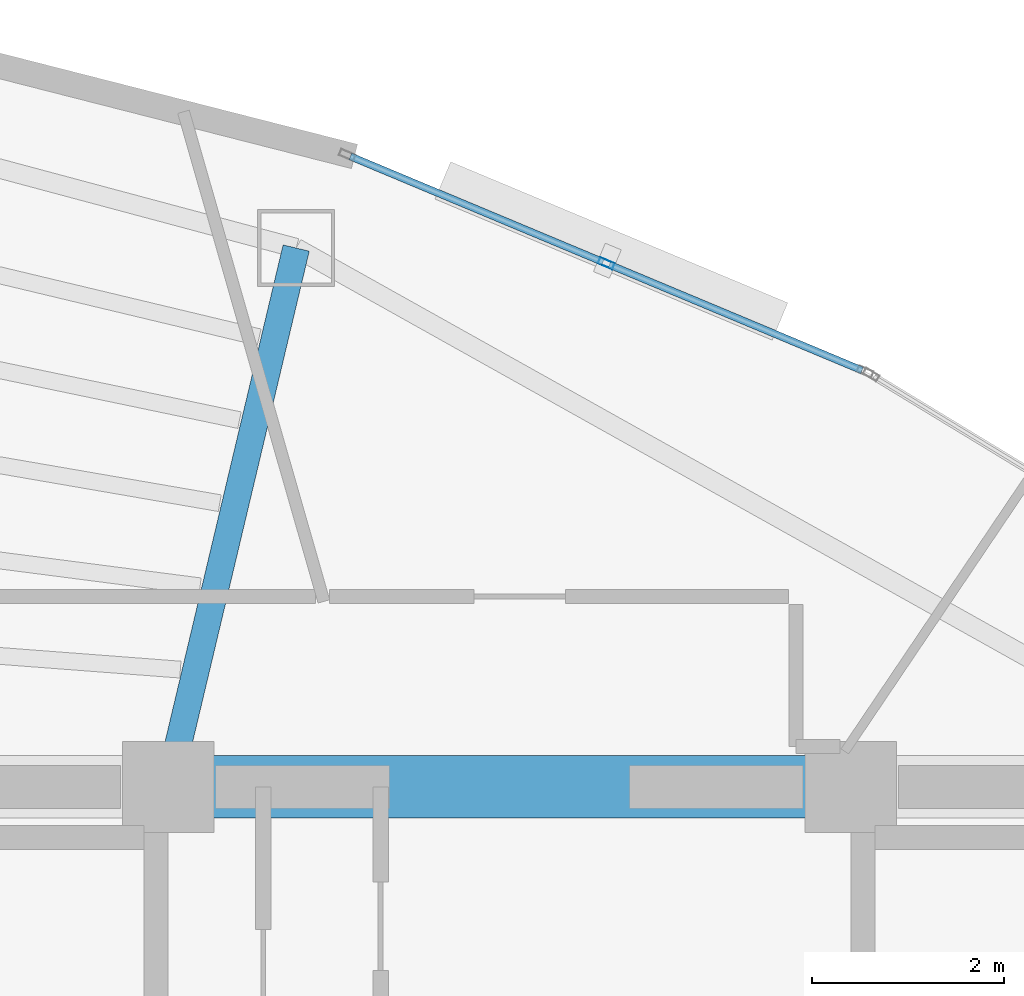
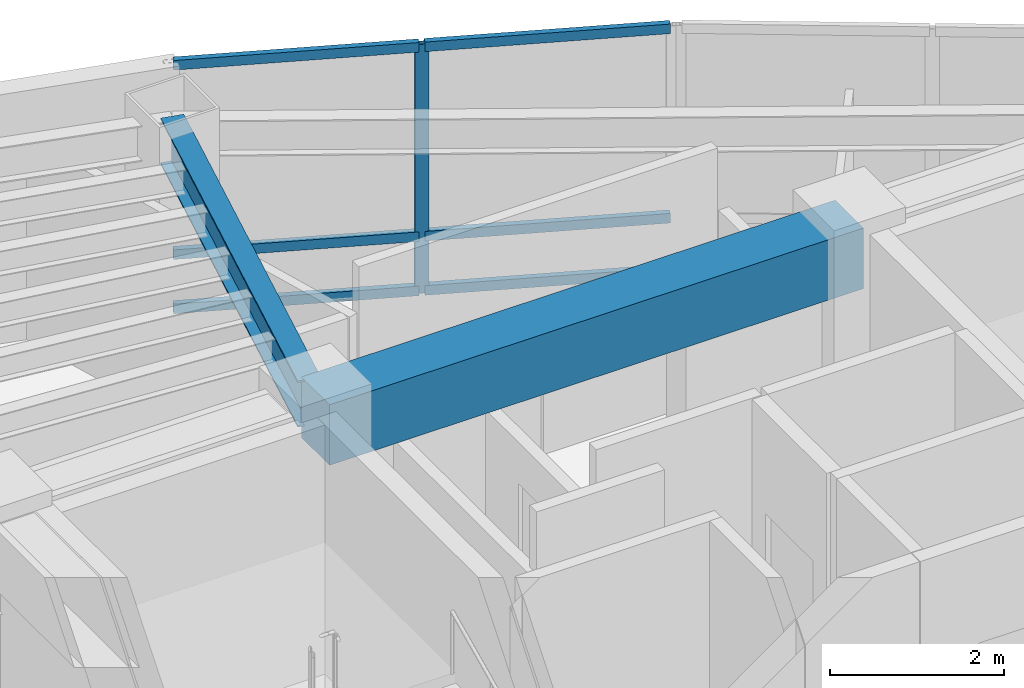
# One storey, part 8 of 15: 7 members, 2 beams, 1 element without a shape of its own.
"""IFC4 building model written with IfcOpenShell, lengths in metres."""

import ifcopenshell
import ifcopenshell.guid

model = None  # the IFC model being written
_history = None  # IfcOwnerHistory: only IFC2X3 demands one
_inside = {}  # id of a spatial element -> (the spatial element, [elements in it])
_under = {}  # id of a project, library or spatial element -> (it, [spatial elements below it])
_declared = {}  # id of a project -> (the project, [libraries it declares])
_typed = {}  # id of a type object -> (the type object, [elements of that type])
_made_of = {}  # id of a material, layer set ... -> (it, [elements and type objects made of it])


def new_model(schema):
    """Start an empty IFC model of exactly this schema.

    Asked for "IFC4X3", IfcOpenShell would pick the latest addendum, in which some entities
    have other attributes; the version numbers below select the first issue.
    IFC2X3 requires an IfcOwnerHistory on every rooted entity: one is made here for all.
    """
    global model, _history
    if schema == "IFC4X3":
        model = ifcopenshell.file(schema_version=(4, 3, 0, 0))
    else:
        model = ifcopenshell.file(schema=schema)
    _inside.clear()
    _under.clear()
    _declared.clear()
    _typed.clear()
    _made_of.clear()
    _history = None
    if model.schema == "IFC2X3":
        org = make("IfcOrganization", Name="unknown")
        user = make(
            "IfcPersonAndOrganization",
            ThePerson=make("IfcPerson", FamilyName="unknown"),
            TheOrganization=org,
        )
        app = make(
            "IfcApplication",
            ApplicationDeveloper=org,
            Version="unknown",
            ApplicationFullName="unknown",
            ApplicationIdentifier="unknown",
        )
        _history = make(
            "IfcOwnerHistory",
            OwningUser=user,
            OwningApplication=app,
            ChangeAction="ADDED",
            CreationDate=0,
        )
    return model


def make(cls, **values):
    """One entity of the class cls with the attributes given. An attribute that is None is left unset."""
    return model.create_entity(
        cls, **{name: value for name, value in values.items() if value is not None}
    )


def rooted(cls, **values):
    """An entity with a GlobalId (a new one), such as an element, a storey or a relation."""
    return make(cls, GlobalId=ifcopenshell.guid.new(), OwnerHistory=_history, **values)


def si_unit(unit_type, name, prefix=None):
    """IfcSIUnit, for example si_unit("LENGTHUNIT", "METRE", prefix="MILLI")."""
    return make("IfcSIUnit", UnitType=unit_type, Prefix=prefix, Name=name)


def assignment(units):
    """IfcUnitAssignment: the units of a project."""
    return None if units is None else make("IfcUnitAssignment", Units=units)


def point(xyz):
    """IfcCartesianPoint."""
    return None if xyz is None else make("IfcCartesianPoint", Coordinates=xyz)


def direction(xyz):
    """IfcDirection."""
    return None if xyz is None else make("IfcDirection", DirectionRatios=xyz)


def frame(location, z_axis=None, x_axis=None):
    """IfcAxis2Placement3D, a coordinate frame: its origin and axes. An axis left out is left unset."""
    return make(
        "IfcAxis2Placement3D",
        Location=point(location),
        Axis=direction(z_axis),
        RefDirection=direction(x_axis),
    )


def frame_2d(location, x_axis=None):
    """IfcAxis2Placement2D, a coordinate frame in the plane: its origin and x axis."""
    return make(
        "IfcAxis2Placement2D", Location=point(location), RefDirection=direction(x_axis)
    )


def origin():
    """The frame at (0, 0, 0) with its axes left unset."""
    return frame((0.0, 0.0, 0.0))


def origin_2d():
    """The frame at (0, 0) in the plane with its x axis left unset."""
    return frame_2d((0.0, 0.0))


def place(relative_to, where):
    """IfcLocalPlacement: puts the frame where relative to a parent placement (None: the world)."""
    return make(
        "IfcLocalPlacement", PlacementRelTo=relative_to, RelativePlacement=where
    )


def context(
    kind, dimensions, precision=None, world=None, true_north=None, identifier=None
):
    """IfcGeometricRepresentationContext, for example the 3D "Model" context."""
    return make(
        "IfcGeometricRepresentationContext",
        ContextIdentifier=identifier,
        ContextType=kind,
        CoordinateSpaceDimension=dimensions,
        Precision=precision,
        WorldCoordinateSystem=world,
        TrueNorth=true_north,
    )


def subcontext(parent, identifier, kind, view, scale=None):
    """IfcGeometricRepresentationSubContext, for example "Body" below "Model"."""
    return make(
        "IfcGeometricRepresentationSubContext",
        ContextIdentifier=identifier,
        ContextType=kind,
        ParentContext=parent,
        TargetScale=scale,
        TargetView=view,
    )


def project(units=None, contexts=None):
    """IfcProject with its units and contexts."""
    return rooted(
        "IfcProject",
        Name="project",
        RepresentationContexts=contexts,
        UnitsInContext=assignment(units),
    )


def spatial(cls, under=None, at=None, **own):
    """A site, building, storey or space (cls), placed at a placement, below another one or the project."""
    s = rooted(cls, ObjectPlacement=at, **own)
    if under is not None:
        _under.setdefault(under.id(), (under, []))[1].append(s)
    return s


def profile(cls, at=None, kind="AREA", **sizes):
    """A parametric profile (cls). Its sizes go by their IFC names, for example OverallWidth=200.0."""
    return make(cls, ProfileType=kind, Position=at, **sizes)


def rectangle(**sizes):
    """IfcRectangleProfileDef."""
    return profile("IfcRectangleProfileDef", **sizes)


def hollow_rectangle(**sizes):
    """IfcRectangleHollowProfileDef."""
    return profile("IfcRectangleHollowProfileDef", **sizes)


def i_section(**sizes):
    """IfcIShapeProfileDef."""
    return profile("IfcIShapeProfileDef", **sizes)


def extrude(swept, where, along, depth):
    """IfcExtrudedAreaSolid: the profile swept, set in the frame where, extruded along a direction by depth."""
    return make(
        "IfcExtrudedAreaSolid",
        SweptArea=swept,
        Position=where,
        ExtrudedDirection=direction(along),
        Depth=depth,
    )


def shape(context_of_items, identifier, shape_type, items):
    """IfcShapeRepresentation: the items that make up one representation, for example the "Body"."""
    return make(
        "IfcShapeRepresentation",
        ContextOfItems=context_of_items,
        RepresentationIdentifier=identifier,
        RepresentationType=shape_type,
        Items=items,
    )


def material(Name=None, Category=None):
    """IfcMaterial."""
    return make("IfcMaterial", Name=Name, Category=Category)


def layer(
    of_material, thickness, ventilated=None, Name=None, Category=None, Priority=None
):
    """IfcMaterialLayer: one layer of a wall or slab, of a material (None: an air gap)."""
    return make(
        "IfcMaterialLayer",
        Material=of_material,
        LayerThickness=thickness,
        IsVentilated=ventilated,
        Name=Name,
        Category=Category,
        Priority=Priority,
    )


def layer_set(layers, Name=None):
    """IfcMaterialLayerSet."""
    return make("IfcMaterialLayerSet", MaterialLayers=layers, LayerSetName=Name)


def material_profile(
    of_material, cross_section, Name=None, Category=None, Priority=None
):
    """IfcMaterialProfile: a cross section and its material."""
    return make(
        "IfcMaterialProfile",
        Name=Name,
        Material=of_material,
        Profile=cross_section,
        Priority=Priority,
        Category=Category,
    )


def profile_set(profiles, Name=None, composite=None):
    """IfcMaterialProfileSet."""
    return make(
        "IfcMaterialProfileSet",
        Name=Name,
        MaterialProfiles=profiles,
        CompositeProfile=composite,
    )


def made_of(thing, what):
    """Note that an element or type object is made of a material, layer set ...; save() writes the relation."""
    if what is not None:
        _made_of.setdefault(what.id(), (what, []))[1].append(thing)
    return thing


def type_object(cls, material=None, **own):
    """A type object (cls), such as IfcWallType, which elements share."""
    return made_of(rooted(cls, **own), material)


def element(
    cls,
    number,
    at=None,
    inside=None,
    cuts=None,
    type_object=None,
    material=None,
    context=None,
    identifier="Body",
    shape_type=None,
    held_by="IfcProductDefinitionShape",
    body=None,
    shapes=None,
    **own,
):
    """One element of the class cls, such as IfcWall. Its Tag is "e" and its number.

    at: its placement. inside: the storey or other place that contains it. cuts: it is an
    opening in that element (IfcRelVoidsElement). A single representation is given by context,
    identifier, shape_type and body (its items); several are given by shapes. held_by: the class
    of the entity that holds the representations. save() writes the other relations.
    """
    e = rooted(cls, Tag="e%d" % number, ObjectPlacement=at, **own)
    if body is not None:
        shapes = [shape(context, identifier, shape_type, body)]
    if shapes is not None:
        e.Representation = make(held_by, Representations=shapes)
    if inside is not None:
        _inside.setdefault(inside.id(), (inside, []))[1].append(e)
    if cuts is not None:
        rooted(
            "IfcRelVoidsElement", RelatingBuildingElement=cuts, RelatedOpeningElement=e
        )
    if type_object is not None:
        _typed.setdefault(type_object.id(), (type_object, []))[1].append(e)
    return made_of(e, material)


def aggregate(whole, parts):
    """IfcRelAggregates: a whole, such as a stair, and the parts it consists of."""
    return rooted("IfcRelAggregates", RelatingObject=whole, RelatedObjects=parts)


def save(model, path):
    """Write the relations noted so far, then the file.

    IfcRelAggregates (storeys below a building ...), IfcRelContainedInSpatialStructure (elements
    in a storey), IfcRelDefinesByType, IfcRelAssociatesMaterial and IfcRelDeclares: one each for
    every whole, place, type object, material and project.
    """
    for whole, parts in _under.values():
        aggregate(whole, parts)
    for where, things in _inside.values():
        rooted(
            "IfcRelContainedInSpatialStructure",
            RelatedElements=things,
            RelatingStructure=where,
        )
    for kind, things in _typed.values():
        rooted("IfcRelDefinesByType", RelatedObjects=things, RelatingType=kind)
    for what, things in _made_of.values():
        rooted("IfcRelAssociatesMaterial", RelatedObjects=things, RelatingMaterial=what)
    for by, libraries in _declared.values():
        rooted("IfcRelDeclares", RelatingContext=by, RelatedDefinitions=libraries)
    model.write(path)


model = new_model("IFC4")

# Units and contexts
model_context = context("Model", 3, precision=1e-05, world=origin(), true_north=direction((0.0, 1.0)))
body_context = subcontext(model_context, "Body", "Model", "MODEL_VIEW")
ifc_project = project(units=[si_unit("LENGTHUNIT", "METRE"), si_unit("AREAUNIT", "SQUARE_METRE"), si_unit("VOLUMEUNIT", "CUBIC_METRE"), si_unit("PLANEANGLEUNIT", "RADIAN"), si_unit("MASSUNIT", "GRAM", prefix="KILO")], contexts=[model_context])

# Site, building, storey
site_placement = place(None, origin())
site = spatial("IfcSite", under=ifc_project, at=site_placement, CompositionType="ELEMENT")
building_placement = place(site_placement, origin())
building = spatial("IfcBuilding", under=site, at=building_placement, Name="Menara Vayukalpa", CompositionType="ELEMENT")
storey_placement = place(building_placement, frame((0.0, 0.0, 284.340087890625)))
storey = spatial("IfcBuildingStorey", under=building, at=storey_placement, Name="L72", CompositionType="ELEMENT", Elevation=284.340087890625)

# Beams
ifc_material_1 = material(Name="Concrete C60/75", Category="concrete")
ifc_material_profile_1 = material_profile(ifc_material_1, rectangle(XDim=0.64990234375, YDim=0.85009765625, at=origin_2d()), Name="RC 650x850")
ifc_profile_set_1 = profile_set([ifc_material_profile_1], Name="Concrete C60/75")
beam_type_1 = type_object("IfcBeamType", Name="BM-CB1", PredefinedType="BEAM", material=ifc_profile_set_1)
beam_1_placement = place(storey_placement, frame((22.050048828125, 26.800048828125, 3.074951171875), z_axis=(1.0, 0.0, 0.0), x_axis=(0.0, 1.0, 0.0)))
element("IfcBeam", 1, at=beam_1_placement, inside=storey, type_object=beam_type_1, Name="L72 Core Tie Beam CBR5", PredefinedType="BEAM", context=body_context, shape_type="SweptSolid", body=[
    extrude(rectangle(XDim=0.64990234375, YDim=0.85009765625, at=origin_2d()), origin(), (0.0, 0.0, 1.0), 7.099853515625),
])
ifc_material_2 = material(Name="Steel S355", Category="steel")
ifc_material_profile_2 = material_profile(ifc_material_2, i_section(OverallWidth=0.280029296875, OverallDepth=0.64990234375, WebThickness=0.012939453125, FlangeThickness=0.02197265625, at=origin_2d()), Name="WF 650x280x13x22")
ifc_profile_set_2 = profile_set([ifc_material_profile_2], Name="Steel S355")
beam_type_2 = type_object("IfcBeamType", Name="BM-PG6", PredefinedType="BEAM", material=ifc_profile_set_2)
beam_2_placement = place(storey_placement, frame((22.10791015625, 27.043212890625, 3.1748046875), z_axis=(0.231167310854, 0.972914011818, 0.0), x_axis=(-0.972914011818, 0.231167310854, 0.0)))
element("IfcBeam", 2, at=beam_2_placement, inside=storey, type_object=beam_type_2, Name="L72 Primary Radial Girder RG03", PredefinedType="BEAM", context=body_context, shape_type="SweptSolid", body=[
    extrude(i_section(OverallWidth=0.280029296875, OverallDepth=0.64990234375, WebThickness=0.012939453125, FlangeThickness=0.02197265625, at=origin_2d()), origin(), (0.0, 0.0, 1.0), 5.5107421875),
])

# Curtain wall, members
ifc_material_3 = material(Name="Anodised Terracotta Aluminium Alloy 6063-T6", Category="masonry")
ifc_layer = layer(ifc_material_3, 0.1650390625)
ifc_layer_set = layer_set([ifc_layer], Name="Anodised Terracotta Aluminium Alloy 6063-T6")
curtain_wall_type = type_object("IfcCurtainWallType", Name="CW-CW6", PredefinedType="USERDEFINED", material=ifc_layer_set)
curtain_wall_placement = place(storey_placement, origin())
curtain_wall = element("IfcCurtainWall", 3, at=curtain_wall_placement, inside=storey, type_object=curtain_wall_type, Name="L72 Observation and Executive Curtain Wall CW6 05", ObjectType="UNITISED", PredefinedType="USERDEFINED")
ifc_material_4 = material(Name="Anodised Terracotta Aluminium Alloy 6063-T6", Category="masonry")
ifc_material_profile_3 = material_profile(ifc_material_4, hollow_rectangle(XDim=0.070068359375, YDim=0.1650390625, WallThickness=0.00390625, at=origin_2d()), Name="ALU 70x165x4")
ifc_profile_set_3 = profile_set([ifc_material_profile_3], Name="Anodised Terracotta Aluminium Alloy 6063-T6")
member_type_1 = type_object("IfcMemberType", Name="CWM-CW6", PredefinedType="MULLION", material=ifc_profile_set_3)
member_1_placement = place(storey_placement, frame((26.60595703125, 32.2451171875, 0.0), z_axis=(0.0, 0.0, 1.0), x_axis=(-0.385899911703, -0.922540653927, 0.0)))
member_1 = element("IfcMember", 4, at=member_1_placement, type_object=member_type_1, Name="CW6 mullion 2", PredefinedType="MULLION", context=body_context, shape_type="SweptSolid", body=[
    extrude(hollow_rectangle(XDim=0.070068359375, YDim=0.1650390625, WallThickness=0.00390625, at=origin_2d()), origin(), (0.0, 0.0, 1.0), 3.5),
])
ifc_material_5 = material(Name="Anodised Terracotta Aluminium Alloy 6063-T6", Category="masonry")
ifc_material_profile_4 = material_profile(ifc_material_5, hollow_rectangle(XDim=0.074951171875, YDim=0.135009765625, WallThickness=0.00390625, at=origin_2d()), Name="ALU 75x135x4")
ifc_profile_set_4 = profile_set([ifc_material_profile_4], Name="Anodised Terracotta Aluminium Alloy 6063-T6")
member_type_2 = type_object("IfcMemberType", Name="CWT-CW6", PredefinedType="USERDEFINED", material=ifc_profile_set_4)
member_2_placement = place(storey_placement, frame((29.266357421875, 31.13232421875, 0.037353515625), z_axis=(-0.922528286758, 0.385929475592, 0.0), x_axis=(-0.385929475592, -0.922528286758, 0.0)))
member_2 = element("IfcMember", 5, at=member_2_placement, type_object=member_type_2, Name="CW6 transom 1.1", ObjectType="TRANSOM", PredefinedType="USERDEFINED", context=body_context, shape_type="SweptSolid", body=[
    extrude(hollow_rectangle(XDim=0.074951171875, YDim=0.135009765625, WallThickness=0.00390625, at=origin_2d()), origin(), (0.0, 0.0, 1.0), 2.8486328125),
])
member_3_placement = place(storey_placement, frame((29.266357421875, 31.13232421875, 0.7998046875), z_axis=(-0.922528286758, 0.385929475592, 0.0), x_axis=(-0.385929475592, -0.922528286758, 0.0)))
member_3 = element("IfcMember", 6, at=member_3_placement, type_object=member_type_2, Name="CW6 transom 1.2", ObjectType="TRANSOM", PredefinedType="USERDEFINED", context=body_context, shape_type="SweptSolid", body=[
    extrude(hollow_rectangle(XDim=0.074951171875, YDim=0.135009765625, WallThickness=0.00390625, at=origin_2d()), origin(), (0.0, 0.0, 1.0), 2.8486328125),
])
member_4_placement = place(storey_placement, frame((29.266357421875, 31.13232421875, 3.46240234375), z_axis=(-0.922528286758, 0.385929475592, 0.0), x_axis=(-0.385929475592, -0.922528286758, 0.0)))
member_4 = element("IfcMember", 7, at=member_4_placement, type_object=member_type_2, Name="CW6 transom 1.3", ObjectType="TRANSOM", PredefinedType="USERDEFINED", context=body_context, shape_type="SweptSolid", body=[
    extrude(hollow_rectangle(XDim=0.074951171875, YDim=0.135009765625, WallThickness=0.00390625, at=origin_2d()), origin(), (0.0, 0.0, 1.0), 2.8486328125),
])
member_5_placement = place(storey_placement, frame((26.57373046875, 32.258544921875, 0.037353515625), z_axis=(-0.922541050276, 0.38589896418, 0.0), x_axis=(-0.38589896418, -0.922541050276, 0.0)))
member_5 = element("IfcMember", 8, at=member_5_placement, type_object=member_type_2, Name="CW6 transom 2.1", ObjectType="TRANSOM", PredefinedType="USERDEFINED", context=body_context, shape_type="SweptSolid", body=[
    extrude(hollow_rectangle(XDim=0.074951171875, YDim=0.135009765625, WallThickness=0.00390625, at=origin_2d()), origin(), (0.0, 0.0, 1.0), 2.848876953125),
])
member_6_placement = place(storey_placement, frame((26.57373046875, 32.258544921875, 0.7998046875), z_axis=(-0.922541050276, 0.38589896418, 0.0), x_axis=(-0.38589896418, -0.922541050276, 0.0)))
member_6 = element("IfcMember", 9, at=member_6_placement, type_object=member_type_2, Name="CW6 transom 2.2", ObjectType="TRANSOM", PredefinedType="USERDEFINED", context=body_context, shape_type="SweptSolid", body=[
    extrude(hollow_rectangle(XDim=0.074951171875, YDim=0.135009765625, WallThickness=0.00390625, at=origin_2d()), origin(), (0.0, 0.0, 1.0), 2.848876953125),
])
member_7_placement = place(storey_placement, frame((26.57373046875, 32.258544921875, 3.46240234375), z_axis=(-0.922541050276, 0.38589896418, 0.0), x_axis=(-0.38589896418, -0.922541050276, 0.0)))
member_7 = element("IfcMember", 10, at=member_7_placement, type_object=member_type_2, Name="CW6 transom 2.3", ObjectType="TRANSOM", PredefinedType="USERDEFINED", context=body_context, shape_type="SweptSolid", body=[
    extrude(hollow_rectangle(XDim=0.074951171875, YDim=0.135009765625, WallThickness=0.00390625, at=origin_2d()), origin(), (0.0, 0.0, 1.0), 2.848876953125),
])
aggregate(curtain_wall, [member_1, member_2, member_3, member_4, member_5, member_6, member_7])

save(model, "model.ifc")
